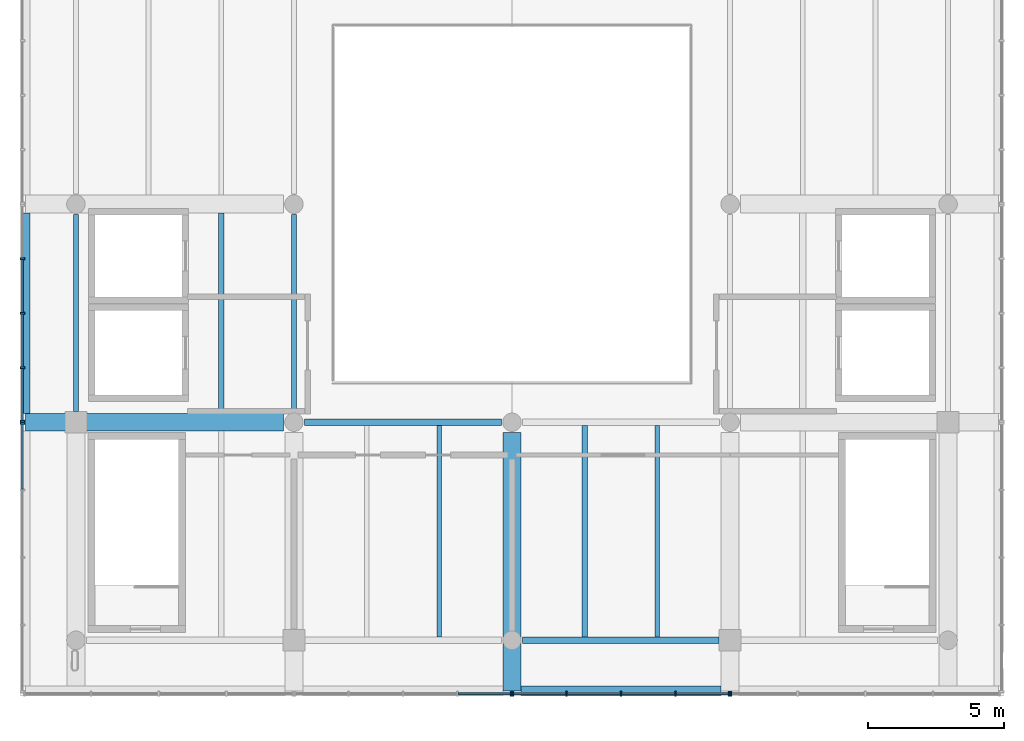
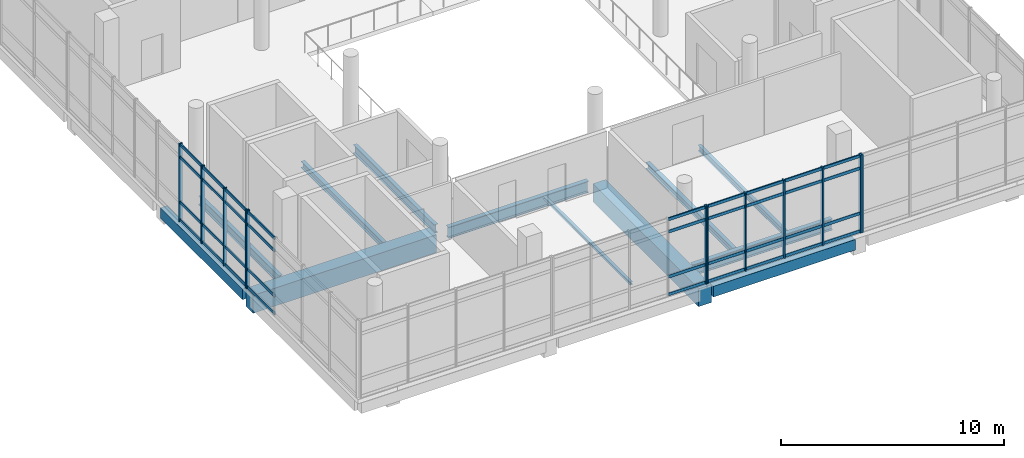
# One storey, part 3 of 15: 48 members, 12 beams, 5 elements without a shape of their own.
"""IFC4 building model written with IfcOpenShell, lengths in metres."""

import ifcopenshell
import ifcopenshell.guid

model = None  # the IFC model being written
_history = None  # IfcOwnerHistory: only IFC2X3 demands one
_inside = {}  # id of a spatial element -> (the spatial element, [elements in it])
_under = {}  # id of a project, library or spatial element -> (it, [spatial elements below it])
_declared = {}  # id of a project -> (the project, [libraries it declares])
_typed = {}  # id of a type object -> (the type object, [elements of that type])
_made_of = {}  # id of a material, layer set ... -> (it, [elements and type objects made of it])


def new_model(schema):
    """Start an empty IFC model of exactly this schema.

    Asked for "IFC4X3", IfcOpenShell would pick the latest addendum, in which some entities
    have other attributes; the version numbers below select the first issue.
    IFC2X3 requires an IfcOwnerHistory on every rooted entity: one is made here for all.
    """
    global model, _history
    if schema == "IFC4X3":
        model = ifcopenshell.file(schema_version=(4, 3, 0, 0))
    else:
        model = ifcopenshell.file(schema=schema)
    _inside.clear()
    _under.clear()
    _declared.clear()
    _typed.clear()
    _made_of.clear()
    _history = None
    if model.schema == "IFC2X3":
        org = make("IfcOrganization", Name="unknown")
        user = make(
            "IfcPersonAndOrganization",
            ThePerson=make("IfcPerson", FamilyName="unknown"),
            TheOrganization=org,
        )
        app = make(
            "IfcApplication",
            ApplicationDeveloper=org,
            Version="unknown",
            ApplicationFullName="unknown",
            ApplicationIdentifier="unknown",
        )
        _history = make(
            "IfcOwnerHistory",
            OwningUser=user,
            OwningApplication=app,
            ChangeAction="ADDED",
            CreationDate=0,
        )
    return model


def make(cls, **values):
    """One entity of the class cls with the attributes given. An attribute that is None is left unset."""
    return model.create_entity(
        cls, **{name: value for name, value in values.items() if value is not None}
    )


def rooted(cls, **values):
    """An entity with a GlobalId (a new one), such as an element, a storey or a relation."""
    return make(cls, GlobalId=ifcopenshell.guid.new(), OwnerHistory=_history, **values)


def si_unit(unit_type, name, prefix=None):
    """IfcSIUnit, for example si_unit("LENGTHUNIT", "METRE", prefix="MILLI")."""
    return make("IfcSIUnit", UnitType=unit_type, Prefix=prefix, Name=name)


def assignment(units):
    """IfcUnitAssignment: the units of a project."""
    return None if units is None else make("IfcUnitAssignment", Units=units)


def point(xyz):
    """IfcCartesianPoint."""
    return None if xyz is None else make("IfcCartesianPoint", Coordinates=xyz)


def direction(xyz):
    """IfcDirection."""
    return None if xyz is None else make("IfcDirection", DirectionRatios=xyz)


def frame(location, z_axis=None, x_axis=None):
    """IfcAxis2Placement3D, a coordinate frame: its origin and axes. An axis left out is left unset."""
    return make(
        "IfcAxis2Placement3D",
        Location=point(location),
        Axis=direction(z_axis),
        RefDirection=direction(x_axis),
    )


def frame_2d(location, x_axis=None):
    """IfcAxis2Placement2D, a coordinate frame in the plane: its origin and x axis."""
    return make(
        "IfcAxis2Placement2D", Location=point(location), RefDirection=direction(x_axis)
    )


def origin():
    """The frame at (0, 0, 0) with its axes left unset."""
    return frame((0.0, 0.0, 0.0))


def origin_2d():
    """The frame at (0, 0) in the plane with its x axis left unset."""
    return frame_2d((0.0, 0.0))


def place(relative_to, where):
    """IfcLocalPlacement: puts the frame where relative to a parent placement (None: the world)."""
    return make(
        "IfcLocalPlacement", PlacementRelTo=relative_to, RelativePlacement=where
    )


def context(
    kind, dimensions, precision=None, world=None, true_north=None, identifier=None
):
    """IfcGeometricRepresentationContext, for example the 3D "Model" context."""
    return make(
        "IfcGeometricRepresentationContext",
        ContextIdentifier=identifier,
        ContextType=kind,
        CoordinateSpaceDimension=dimensions,
        Precision=precision,
        WorldCoordinateSystem=world,
        TrueNorth=true_north,
    )


def subcontext(parent, identifier, kind, view, scale=None):
    """IfcGeometricRepresentationSubContext, for example "Body" below "Model"."""
    return make(
        "IfcGeometricRepresentationSubContext",
        ContextIdentifier=identifier,
        ContextType=kind,
        ParentContext=parent,
        TargetScale=scale,
        TargetView=view,
    )


def project(units=None, contexts=None):
    """IfcProject with its units and contexts."""
    return rooted(
        "IfcProject",
        Name="project",
        RepresentationContexts=contexts,
        UnitsInContext=assignment(units),
    )


def spatial(cls, under=None, at=None, **own):
    """A site, building, storey or space (cls), placed at a placement, below another one or the project."""
    s = rooted(cls, ObjectPlacement=at, **own)
    if under is not None:
        _under.setdefault(under.id(), (under, []))[1].append(s)
    return s


def profile(cls, at=None, kind="AREA", **sizes):
    """A parametric profile (cls). Its sizes go by their IFC names, for example OverallWidth=200.0."""
    return make(cls, ProfileType=kind, Position=at, **sizes)


def rectangle(**sizes):
    """IfcRectangleProfileDef."""
    return profile("IfcRectangleProfileDef", **sizes)


def i_section(**sizes):
    """IfcIShapeProfileDef."""
    return profile("IfcIShapeProfileDef", **sizes)


def extrude(swept, where, along, depth):
    """IfcExtrudedAreaSolid: the profile swept, set in the frame where, extruded along a direction by depth."""
    return make(
        "IfcExtrudedAreaSolid",
        SweptArea=swept,
        Position=where,
        ExtrudedDirection=direction(along),
        Depth=depth,
    )


def shape(context_of_items, identifier, shape_type, items):
    """IfcShapeRepresentation: the items that make up one representation, for example the "Body"."""
    return make(
        "IfcShapeRepresentation",
        ContextOfItems=context_of_items,
        RepresentationIdentifier=identifier,
        RepresentationType=shape_type,
        Items=items,
    )


def material(Name=None, Category=None):
    """IfcMaterial."""
    return make("IfcMaterial", Name=Name, Category=Category)


def material_profile(
    of_material, cross_section, Name=None, Category=None, Priority=None
):
    """IfcMaterialProfile: a cross section and its material."""
    return make(
        "IfcMaterialProfile",
        Name=Name,
        Material=of_material,
        Profile=cross_section,
        Priority=Priority,
        Category=Category,
    )


def profile_set(profiles, Name=None, composite=None):
    """IfcMaterialProfileSet."""
    return make(
        "IfcMaterialProfileSet",
        Name=Name,
        MaterialProfiles=profiles,
        CompositeProfile=composite,
    )


def made_of(thing, what):
    """Note that an element or type object is made of a material, layer set ...; save() writes the relation."""
    if what is not None:
        _made_of.setdefault(what.id(), (what, []))[1].append(thing)
    return thing


def type_object(cls, material=None, **own):
    """A type object (cls), such as IfcWallType, which elements share."""
    return made_of(rooted(cls, **own), material)


def element(
    cls,
    number,
    at=None,
    inside=None,
    cuts=None,
    type_object=None,
    material=None,
    context=None,
    identifier="Body",
    shape_type=None,
    held_by="IfcProductDefinitionShape",
    body=None,
    shapes=None,
    **own,
):
    """One element of the class cls, such as IfcWall. Its Tag is "e" and its number.

    at: its placement. inside: the storey or other place that contains it. cuts: it is an
    opening in that element (IfcRelVoidsElement). A single representation is given by context,
    identifier, shape_type and body (its items); several are given by shapes. held_by: the class
    of the entity that holds the representations. save() writes the other relations.
    """
    e = rooted(cls, Tag="e%d" % number, ObjectPlacement=at, **own)
    if body is not None:
        shapes = [shape(context, identifier, shape_type, body)]
    if shapes is not None:
        e.Representation = make(held_by, Representations=shapes)
    if inside is not None:
        _inside.setdefault(inside.id(), (inside, []))[1].append(e)
    if cuts is not None:
        rooted(
            "IfcRelVoidsElement", RelatingBuildingElement=cuts, RelatedOpeningElement=e
        )
    if type_object is not None:
        _typed.setdefault(type_object.id(), (type_object, []))[1].append(e)
    return made_of(e, material)


def aggregate(whole, parts):
    """IfcRelAggregates: a whole, such as a stair, and the parts it consists of."""
    return rooted("IfcRelAggregates", RelatingObject=whole, RelatedObjects=parts)


def save(model, path):
    """Write the relations noted so far, then the file.

    IfcRelAggregates (storeys below a building ...), IfcRelContainedInSpatialStructure (elements
    in a storey), IfcRelDefinesByType, IfcRelAssociatesMaterial and IfcRelDeclares: one each for
    every whole, place, type object, material and project.
    """
    for whole, parts in _under.values():
        aggregate(whole, parts)
    for where, things in _inside.values():
        rooted(
            "IfcRelContainedInSpatialStructure",
            RelatedElements=things,
            RelatingStructure=where,
        )
    for kind, things in _typed.values():
        rooted("IfcRelDefinesByType", RelatedObjects=things, RelatingType=kind)
    for what, things in _made_of.values():
        rooted("IfcRelAssociatesMaterial", RelatedObjects=things, RelatingMaterial=what)
    for by, libraries in _declared.values():
        rooted("IfcRelDeclares", RelatingContext=by, RelatedDefinitions=libraries)
    model.write(path)


model = new_model("IFC4")

# Units and contexts
model_context = context("Model", 3, precision=1e-05, world=origin(), true_north=direction((0.0, 1.0)))
body_context = subcontext(model_context, "Body", "Model", "MODEL_VIEW")
ifc_project = project(units=[si_unit("LENGTHUNIT", "METRE"), si_unit("AREAUNIT", "SQUARE_METRE"), si_unit("VOLUMEUNIT", "CUBIC_METRE"), si_unit("PLANEANGLEUNIT", "RADIAN"), si_unit("MASSUNIT", "GRAM", prefix="KILO")], contexts=[model_context])

# Site, building, storey
site_placement = place(None, origin())
site = spatial("IfcSite", under=ifc_project, at=site_placement, CompositionType="ELEMENT")
building_placement = place(site_placement, origin())
building = spatial("IfcBuilding", under=site, at=building_placement, Name="Pecanmere Concourse Central Library", CompositionType="ELEMENT")
storey_placement = place(building_placement, frame((0.0, 0.0, 30.300048828125)))
storey = spatial("IfcBuildingStorey", under=building, at=storey_placement, Name="L07", CompositionType="ELEMENT", Elevation=30.300048828125)

# Curtain wall, member
ifc_material_1 = material(Name="Anodized bronze aluminium alloy 6063-T6", Category="aluminium")
curtain_wall_type = type_object("IfcCurtainWallType", Name="CW_PLUMB_BANDED", PredefinedType="USERDEFINED", material=ifc_material_1)
curtain_wall_1_placement = place(storey_placement, origin())
curtain_wall_1 = element("IfcCurtainWall", 1, at=curtain_wall_1_placement, inside=storey, type_object=curtain_wall_type, Name="Unitised Curtain Wall CW-02 L07-090", ObjectType="UNITISED CURTAIN WALL", PredefinedType="USERDEFINED")
ifc_material_2 = material(Name="Anodized bronze aluminium alloy 6063-T6", Category="aluminium")
ifc_material_profile_1 = material_profile(ifc_material_2, rectangle(XDim=0.06494140625, YDim=0.179931640625, at=origin_2d()), Name="AL 65x180")
ifc_profile_set_1 = profile_set([ifc_material_profile_1], Name="Anodized bronze aluminium alloy 6063-T6")
member_type_1 = type_object("IfcMemberType", Name="CWM_180x65", PredefinedType="MULLION", material=ifc_profile_set_1)
member_1_placement = place(storey_placement, frame((87.96240234375, 88.03857421875, 0.0), z_axis=(0.0, 0.0, 1.0), x_axis=(1.0, 0.0, 0.0)))
member_1 = element("IfcMember", 2, at=member_1_placement, type_object=member_type_1, Name="CW-02 Mullion 5", PredefinedType="MULLION", context=body_context, shape_type="SweptSolid", body=[
    extrude(rectangle(XDim=0.06494140625, YDim=0.179931640625, at=origin_2d()), origin(), (0.0, 0.0, 1.0), 4.260009765625),
])

# Curtain wall, members
curtain_wall_2_placement = place(storey_placement, origin())
curtain_wall_2 = element("IfcCurtainWall", 3, at=curtain_wall_2_placement, inside=storey, type_object=curtain_wall_type, Name="Unitised Curtain Wall CW-02 L07-091", ObjectType="UNITISED CURTAIN WALL", PredefinedType="USERDEFINED")
member_2_placement = place(storey_placement, frame((88.03759765625, 88.03857421875, 0.0), z_axis=(0.0, 0.0, 1.0), x_axis=(1.0, 0.0, 0.0)))
member_2 = element("IfcMember", 4, at=member_2_placement, type_object=member_type_1, Name="CW-02 Mullion 1", PredefinedType="MULLION", context=body_context, shape_type="SweptSolid", body=[
    extrude(rectangle(XDim=0.06494140625, YDim=0.179931640625, at=origin_2d()), origin(), (0.0, 0.0, 1.0), 4.260009765625),
])
member_3_placement = place(storey_placement, frame((90.00244140625, 88.03857421875, 0.0), z_axis=(0.0, 0.0, 1.0), x_axis=(1.0, 0.0, 0.0)))
member_3 = element("IfcMember", 5, at=member_3_placement, type_object=member_type_1, Name="CW-02 Mullion 2", PredefinedType="MULLION", context=body_context, shape_type="SweptSolid", body=[
    extrude(rectangle(XDim=0.06494140625, YDim=0.179931640625, at=origin_2d()), origin(), (0.0, 0.0, 1.0), 4.260009765625),
])
member_4_placement = place(storey_placement, frame((92.0, 88.03857421875, 0.0), z_axis=(0.0, 0.0, 1.0), x_axis=(1.0, 0.0, 0.0)))
member_4 = element("IfcMember", 6, at=member_4_placement, type_object=member_type_1, Name="CW-02 Mullion 3", PredefinedType="MULLION", context=body_context, shape_type="SweptSolid", body=[
    extrude(rectangle(XDim=0.06494140625, YDim=0.179931640625, at=origin_2d()), origin(), (0.0, 0.0, 1.0), 4.260009765625),
])
member_5_placement = place(storey_placement, frame((93.99755859375, 88.03857421875, 0.0), z_axis=(0.0, 0.0, 1.0), x_axis=(1.0, 0.0, 0.0)))
member_5 = element("IfcMember", 7, at=member_5_placement, type_object=member_type_1, Name="CW-02 Mullion 4", PredefinedType="MULLION", context=body_context, shape_type="SweptSolid", body=[
    extrude(rectangle(XDim=0.06494140625, YDim=0.179931640625, at=origin_2d()), origin(), (0.0, 0.0, 1.0), 4.260009765625),
])
member_6_placement = place(storey_placement, frame((95.96240234375, 88.03857421875, 0.0), z_axis=(0.0, 0.0, 1.0), x_axis=(1.0, 0.0, 0.0)))
member_6 = element("IfcMember", 8, at=member_6_placement, type_object=member_type_1, Name="CW-02 Mullion 5", PredefinedType="MULLION", context=body_context, shape_type="SweptSolid", body=[
    extrude(rectangle(XDim=0.06494140625, YDim=0.179931640625, at=origin_2d()), origin(), (0.0, 0.0, 1.0), 4.260009765625),
])

# Curtain wall, member
curtain_wall_3_placement = place(storey_placement, origin())
curtain_wall_3 = element("IfcCurtainWall", 9, at=curtain_wall_3_placement, inside=storey, type_object=curtain_wall_type, Name="Unitised Curtain Wall CW-02 L07-092", ObjectType="UNITISED CURTAIN WALL", PredefinedType="USERDEFINED")
member_7_placement = place(storey_placement, frame((96.03759765625, 88.03857421875, 0.0), z_axis=(0.0, 0.0, 1.0), x_axis=(1.0, 0.0, 0.0)))
member_7 = element("IfcMember", 10, at=member_7_placement, type_object=member_type_1, Name="CW-02 Mullion 1", PredefinedType="MULLION", context=body_context, shape_type="SweptSolid", body=[
    extrude(rectangle(XDim=0.06494140625, YDim=0.179931640625, at=origin_2d()), origin(), (0.0, 0.0, 1.0), 4.260009765625),
])
aggregate(curtain_wall_3, [member_7])

# Curtain wall, members
curtain_wall_4_placement = place(storey_placement, origin())
curtain_wall_4 = element("IfcCurtainWall", 11, at=curtain_wall_4_placement, inside=storey, type_object=curtain_wall_type, Name="Unitised Curtain Wall CW-02 L07-099", ObjectType="UNITISED CURTAIN WALL", PredefinedType="USERDEFINED")
member_8_placement = place(storey_placement, frame((70.03857421875, 103.99755859375, 0.0), z_axis=(0.0, 0.0, 1.0), x_axis=(0.0, -1.0, 0.0)))
member_8 = element("IfcMember", 12, at=member_8_placement, type_object=member_type_1, Name="CW-02 Mullion 2", PredefinedType="MULLION", context=body_context, shape_type="SweptSolid", body=[
    extrude(rectangle(XDim=0.06494140625, YDim=0.179931640625, at=origin_2d()), origin(), (0.0, 0.0, 1.0), 4.260009765625),
])
member_9_placement = place(storey_placement, frame((70.03857421875, 102.0, 0.0), z_axis=(0.0, 0.0, 1.0), x_axis=(0.0, -1.0, 0.0)))
member_9 = element("IfcMember", 13, at=member_9_placement, type_object=member_type_1, Name="CW-02 Mullion 3", PredefinedType="MULLION", context=body_context, shape_type="SweptSolid", body=[
    extrude(rectangle(XDim=0.06494140625, YDim=0.179931640625, at=origin_2d()), origin(), (0.0, 0.0, 1.0), 4.260009765625),
])
member_10_placement = place(storey_placement, frame((70.03857421875, 100.00244140625, 0.0), z_axis=(0.0, 0.0, 1.0), x_axis=(0.0, -1.0, 0.0)))
member_10 = element("IfcMember", 14, at=member_10_placement, type_object=member_type_1, Name="CW-02 Mullion 4", PredefinedType="MULLION", context=body_context, shape_type="SweptSolid", body=[
    extrude(rectangle(XDim=0.06494140625, YDim=0.179931640625, at=origin_2d()), origin(), (0.0, 0.0, 1.0), 4.260009765625),
])
member_11_placement = place(storey_placement, frame((70.03857421875, 98.03759765625, 0.0), z_axis=(0.0, 0.0, 1.0), x_axis=(0.0, -1.0, 0.0)))
member_11 = element("IfcMember", 15, at=member_11_placement, type_object=member_type_1, Name="CW-02 Mullion 5", PredefinedType="MULLION", context=body_context, shape_type="SweptSolid", body=[
    extrude(rectangle(XDim=0.06494140625, YDim=0.179931640625, at=origin_2d()), origin(), (0.0, 0.0, 1.0), 4.260009765625),
])

# Curtain wall, member
curtain_wall_5_placement = place(storey_placement, origin())
curtain_wall_5 = element("IfcCurtainWall", 16, at=curtain_wall_5_placement, inside=storey, type_object=curtain_wall_type, Name="Unitised Curtain Wall CW-02 L07-100", ObjectType="UNITISED CURTAIN WALL", PredefinedType="USERDEFINED")
member_12_placement = place(storey_placement, frame((70.03857421875, 97.96240234375, 0.0), z_axis=(0.0, 0.0, 1.0), x_axis=(0.0, -1.0, 0.0)))
member_12 = element("IfcMember", 17, at=member_12_placement, type_object=member_type_1, Name="CW-02 Mullion 1", PredefinedType="MULLION", context=body_context, shape_type="SweptSolid", body=[
    extrude(rectangle(XDim=0.06494140625, YDim=0.179931640625, at=origin_2d()), origin(), (0.0, 0.0, 1.0), 4.260009765625),
])

# Member
ifc_material_3 = material(Name="Anodized bronze aluminium alloy 6063-T6", Category="aluminium")
ifc_material_profile_2 = material_profile(ifc_material_3, rectangle(XDim=0.06005859375, YDim=0.159912109375, at=origin_2d()), Name="AL 60x160")
ifc_profile_set_2 = profile_set([ifc_material_profile_2], Name="Anodized bronze aluminium alloy 6063-T6")
member_type_2 = type_object("IfcMemberType", Name="CWT_160x60", PredefinedType="USERDEFINED", material=ifc_profile_set_2)
member_13_placement = place(storey_placement, frame((86.030029296875, 88.03857421875, 0.079833984375), z_axis=(1.0, 0.0, 0.0), x_axis=(0.0, 1.0, 0.0)))
member_13 = element("IfcMember", 18, at=member_13_placement, type_object=member_type_2, Name="CW-02 Transom 4.1", ObjectType="TRANSOM", PredefinedType="USERDEFINED", context=body_context, shape_type="SweptSolid", body=[
    extrude(rectangle(XDim=0.06005859375, YDim=0.159912109375, at=origin_2d()), origin(), (0.0, 0.0, 1.0), 1.89990234375),
])

member_14_placement = place(storey_placement, frame((86.030029296875, 88.03857421875, 1.050048828125), z_axis=(1.0, 0.0, 0.0), x_axis=(0.0, 1.0, 0.0)))
member_14 = element("IfcMember", 19, at=member_14_placement, type_object=member_type_2, Name="CW-02 Transom 4.2", ObjectType="TRANSOM", PredefinedType="USERDEFINED", context=body_context, shape_type="SweptSolid", body=[
    extrude(rectangle(XDim=0.06005859375, YDim=0.159912109375, at=origin_2d()), origin(), (0.0, 0.0, 1.0), 1.89990234375),
])

member_15_placement = place(storey_placement, frame((86.030029296875, 88.03857421875, 3.510009765625), z_axis=(1.0, 0.0, 0.0), x_axis=(0.0, 1.0, 0.0)))
member_15 = element("IfcMember", 20, at=member_15_placement, type_object=member_type_2, Name="CW-02 Transom 4.3", ObjectType="TRANSOM", PredefinedType="USERDEFINED", context=body_context, shape_type="SweptSolid", body=[
    extrude(rectangle(XDim=0.06005859375, YDim=0.159912109375, at=origin_2d()), origin(), (0.0, 0.0, 1.0), 1.89990234375),
])

member_16_placement = place(storey_placement, frame((86.030029296875, 88.03857421875, 4.179931640625), z_axis=(1.0, 0.0, 0.0), x_axis=(0.0, 1.0, 0.0)))
member_16 = element("IfcMember", 21, at=member_16_placement, type_object=member_type_2, Name="CW-02 Transom 4.4", ObjectType="TRANSOM", PredefinedType="USERDEFINED", context=body_context, shape_type="SweptSolid", body=[
    extrude(rectangle(XDim=0.06005859375, YDim=0.159912109375, at=origin_2d()), origin(), (0.0, 0.0, 1.0), 1.89990234375),
])

aggregate(curtain_wall_1, [member_1, member_13, member_14, member_15, member_16])

member_17_placement = place(storey_placement, frame((88.070068359375, 88.03857421875, 0.079833984375), z_axis=(1.0, 0.0, 0.0), x_axis=(0.0, 1.0, 0.0)))
member_17 = element("IfcMember", 22, at=member_17_placement, type_object=member_type_2, Name="CW-02 Transom 1.1", ObjectType="TRANSOM", PredefinedType="USERDEFINED", context=body_context, shape_type="SweptSolid", body=[
    extrude(rectangle(XDim=0.06005859375, YDim=0.159912109375, at=origin_2d()), origin(), (0.0, 0.0, 1.0), 1.89990234375),
])

member_18_placement = place(storey_placement, frame((88.070068359375, 88.03857421875, 1.050048828125), z_axis=(1.0, 0.0, 0.0), x_axis=(0.0, 1.0, 0.0)))
member_18 = element("IfcMember", 23, at=member_18_placement, type_object=member_type_2, Name="CW-02 Transom 1.2", ObjectType="TRANSOM", PredefinedType="USERDEFINED", context=body_context, shape_type="SweptSolid", body=[
    extrude(rectangle(XDim=0.06005859375, YDim=0.159912109375, at=origin_2d()), origin(), (0.0, 0.0, 1.0), 1.89990234375),
])

member_19_placement = place(storey_placement, frame((88.070068359375, 88.03857421875, 3.510009765625), z_axis=(1.0, 0.0, 0.0), x_axis=(0.0, 1.0, 0.0)))
member_19 = element("IfcMember", 24, at=member_19_placement, type_object=member_type_2, Name="CW-02 Transom 1.3", ObjectType="TRANSOM", PredefinedType="USERDEFINED", context=body_context, shape_type="SweptSolid", body=[
    extrude(rectangle(XDim=0.06005859375, YDim=0.159912109375, at=origin_2d()), origin(), (0.0, 0.0, 1.0), 1.89990234375),
])

member_20_placement = place(storey_placement, frame((88.070068359375, 88.03857421875, 4.179931640625), z_axis=(1.0, 0.0, 0.0), x_axis=(0.0, 1.0, 0.0)))
member_20 = element("IfcMember", 25, at=member_20_placement, type_object=member_type_2, Name="CW-02 Transom 1.4", ObjectType="TRANSOM", PredefinedType="USERDEFINED", context=body_context, shape_type="SweptSolid", body=[
    extrude(rectangle(XDim=0.06005859375, YDim=0.159912109375, at=origin_2d()), origin(), (0.0, 0.0, 1.0), 1.89990234375),
])

member_21_placement = place(storey_placement, frame((90.034912109375, 88.03857421875, 0.079833984375), z_axis=(1.0, 0.0, 0.0), x_axis=(0.0, 1.0, 0.0)))
member_21 = element("IfcMember", 26, at=member_21_placement, type_object=member_type_2, Name="CW-02 Transom 2.1", ObjectType="TRANSOM", PredefinedType="USERDEFINED", context=body_context, shape_type="SweptSolid", body=[
    extrude(rectangle(XDim=0.06005859375, YDim=0.159912109375, at=origin_2d()), origin(), (0.0, 0.0, 1.0), 1.9326171875),
])

member_22_placement = place(storey_placement, frame((90.034912109375, 88.03857421875, 1.050048828125), z_axis=(1.0, 0.0, 0.0), x_axis=(0.0, 1.0, 0.0)))
member_22 = element("IfcMember", 27, at=member_22_placement, type_object=member_type_2, Name="CW-02 Transom 2.2", ObjectType="TRANSOM", PredefinedType="USERDEFINED", context=body_context, shape_type="SweptSolid", body=[
    extrude(rectangle(XDim=0.06005859375, YDim=0.159912109375, at=origin_2d()), origin(), (0.0, 0.0, 1.0), 1.9326171875),
])

member_23_placement = place(storey_placement, frame((90.034912109375, 88.03857421875, 3.510009765625), z_axis=(1.0, 0.0, 0.0), x_axis=(0.0, 1.0, 0.0)))
member_23 = element("IfcMember", 28, at=member_23_placement, type_object=member_type_2, Name="CW-02 Transom 2.3", ObjectType="TRANSOM", PredefinedType="USERDEFINED", context=body_context, shape_type="SweptSolid", body=[
    extrude(rectangle(XDim=0.06005859375, YDim=0.159912109375, at=origin_2d()), origin(), (0.0, 0.0, 1.0), 1.9326171875),
])

member_24_placement = place(storey_placement, frame((90.034912109375, 88.03857421875, 4.179931640625), z_axis=(1.0, 0.0, 0.0), x_axis=(0.0, 1.0, 0.0)))
member_24 = element("IfcMember", 29, at=member_24_placement, type_object=member_type_2, Name="CW-02 Transom 2.4", ObjectType="TRANSOM", PredefinedType="USERDEFINED", context=body_context, shape_type="SweptSolid", body=[
    extrude(rectangle(XDim=0.06005859375, YDim=0.159912109375, at=origin_2d()), origin(), (0.0, 0.0, 1.0), 1.9326171875),
])

member_25_placement = place(storey_placement, frame((92.032470703125, 88.03857421875, 0.079833984375), z_axis=(1.0, 0.0, 0.0), x_axis=(0.0, 1.0, 0.0)))
member_25 = element("IfcMember", 30, at=member_25_placement, type_object=member_type_2, Name="CW-02 Transom 3.1", ObjectType="TRANSOM", PredefinedType="USERDEFINED", context=body_context, shape_type="SweptSolid", body=[
    extrude(rectangle(XDim=0.06005859375, YDim=0.159912109375, at=origin_2d()), origin(), (0.0, 0.0, 1.0), 1.9326171875),
])

member_26_placement = place(storey_placement, frame((92.032470703125, 88.03857421875, 1.050048828125), z_axis=(1.0, 0.0, 0.0), x_axis=(0.0, 1.0, 0.0)))
member_26 = element("IfcMember", 31, at=member_26_placement, type_object=member_type_2, Name="CW-02 Transom 3.2", ObjectType="TRANSOM", PredefinedType="USERDEFINED", context=body_context, shape_type="SweptSolid", body=[
    extrude(rectangle(XDim=0.06005859375, YDim=0.159912109375, at=origin_2d()), origin(), (0.0, 0.0, 1.0), 1.9326171875),
])

member_27_placement = place(storey_placement, frame((92.032470703125, 88.03857421875, 3.510009765625), z_axis=(1.0, 0.0, 0.0), x_axis=(0.0, 1.0, 0.0)))
member_27 = element("IfcMember", 32, at=member_27_placement, type_object=member_type_2, Name="CW-02 Transom 3.3", ObjectType="TRANSOM", PredefinedType="USERDEFINED", context=body_context, shape_type="SweptSolid", body=[
    extrude(rectangle(XDim=0.06005859375, YDim=0.159912109375, at=origin_2d()), origin(), (0.0, 0.0, 1.0), 1.9326171875),
])

member_28_placement = place(storey_placement, frame((92.032470703125, 88.03857421875, 4.179931640625), z_axis=(1.0, 0.0, 0.0), x_axis=(0.0, 1.0, 0.0)))
member_28 = element("IfcMember", 33, at=member_28_placement, type_object=member_type_2, Name="CW-02 Transom 3.4", ObjectType="TRANSOM", PredefinedType="USERDEFINED", context=body_context, shape_type="SweptSolid", body=[
    extrude(rectangle(XDim=0.06005859375, YDim=0.159912109375, at=origin_2d()), origin(), (0.0, 0.0, 1.0), 1.9326171875),
])

member_29_placement = place(storey_placement, frame((94.030029296875, 88.03857421875, 0.079833984375), z_axis=(1.0, 0.0, 0.0), x_axis=(0.0, 1.0, 0.0)))
member_29 = element("IfcMember", 34, at=member_29_placement, type_object=member_type_2, Name="CW-02 Transom 4.1", ObjectType="TRANSOM", PredefinedType="USERDEFINED", context=body_context, shape_type="SweptSolid", body=[
    extrude(rectangle(XDim=0.06005859375, YDim=0.159912109375, at=origin_2d()), origin(), (0.0, 0.0, 1.0), 1.89990234375),
])

member_30_placement = place(storey_placement, frame((94.030029296875, 88.03857421875, 1.050048828125), z_axis=(1.0, 0.0, 0.0), x_axis=(0.0, 1.0, 0.0)))
member_30 = element("IfcMember", 35, at=member_30_placement, type_object=member_type_2, Name="CW-02 Transom 4.2", ObjectType="TRANSOM", PredefinedType="USERDEFINED", context=body_context, shape_type="SweptSolid", body=[
    extrude(rectangle(XDim=0.06005859375, YDim=0.159912109375, at=origin_2d()), origin(), (0.0, 0.0, 1.0), 1.89990234375),
])

member_31_placement = place(storey_placement, frame((94.030029296875, 88.03857421875, 3.510009765625), z_axis=(1.0, 0.0, 0.0), x_axis=(0.0, 1.0, 0.0)))
member_31 = element("IfcMember", 36, at=member_31_placement, type_object=member_type_2, Name="CW-02 Transom 4.3", ObjectType="TRANSOM", PredefinedType="USERDEFINED", context=body_context, shape_type="SweptSolid", body=[
    extrude(rectangle(XDim=0.06005859375, YDim=0.159912109375, at=origin_2d()), origin(), (0.0, 0.0, 1.0), 1.89990234375),
])

member_32_placement = place(storey_placement, frame((94.030029296875, 88.03857421875, 4.179931640625), z_axis=(1.0, 0.0, 0.0), x_axis=(0.0, 1.0, 0.0)))
member_32 = element("IfcMember", 37, at=member_32_placement, type_object=member_type_2, Name="CW-02 Transom 4.4", ObjectType="TRANSOM", PredefinedType="USERDEFINED", context=body_context, shape_type="SweptSolid", body=[
    extrude(rectangle(XDim=0.06005859375, YDim=0.159912109375, at=origin_2d()), origin(), (0.0, 0.0, 1.0), 1.89990234375),
])

aggregate(curtain_wall_2, [member_2, member_3, member_4, member_5, member_6, member_17, member_18, member_19, member_20, member_21, member_22, member_23, member_24, member_25, member_26, member_27, member_28, member_29, member_30, member_31, member_32])

member_33_placement = place(storey_placement, frame((70.03857421875, 103.965087890625, 0.079833984375), z_axis=(0.0, -1.0, 0.0), x_axis=(1.0, 0.0, 0.0)))
member_33 = element("IfcMember", 38, at=member_33_placement, type_object=member_type_2, Name="CW-02 Transom 2.1", ObjectType="TRANSOM", PredefinedType="USERDEFINED", context=body_context, shape_type="SweptSolid", body=[
    extrude(rectangle(XDim=0.06005859375, YDim=0.159912109375, at=origin_2d()), origin(), (0.0, 0.0, 1.0), 1.9326171875),
])

member_34_placement = place(storey_placement, frame((70.03857421875, 103.965087890625, 1.050048828125), z_axis=(0.0, -1.0, 0.0), x_axis=(1.0, 0.0, 0.0)))
member_34 = element("IfcMember", 39, at=member_34_placement, type_object=member_type_2, Name="CW-02 Transom 2.2", ObjectType="TRANSOM", PredefinedType="USERDEFINED", context=body_context, shape_type="SweptSolid", body=[
    extrude(rectangle(XDim=0.06005859375, YDim=0.159912109375, at=origin_2d()), origin(), (0.0, 0.0, 1.0), 1.9326171875),
])

member_35_placement = place(storey_placement, frame((70.03857421875, 103.965087890625, 3.510009765625), z_axis=(0.0, -1.0, 0.0), x_axis=(1.0, 0.0, 0.0)))
member_35 = element("IfcMember", 40, at=member_35_placement, type_object=member_type_2, Name="CW-02 Transom 2.3", ObjectType="TRANSOM", PredefinedType="USERDEFINED", context=body_context, shape_type="SweptSolid", body=[
    extrude(rectangle(XDim=0.06005859375, YDim=0.159912109375, at=origin_2d()), origin(), (0.0, 0.0, 1.0), 1.9326171875),
])

member_36_placement = place(storey_placement, frame((70.03857421875, 103.965087890625, 4.179931640625), z_axis=(0.0, -1.0, 0.0), x_axis=(1.0, 0.0, 0.0)))
member_36 = element("IfcMember", 41, at=member_36_placement, type_object=member_type_2, Name="CW-02 Transom 2.4", ObjectType="TRANSOM", PredefinedType="USERDEFINED", context=body_context, shape_type="SweptSolid", body=[
    extrude(rectangle(XDim=0.06005859375, YDim=0.159912109375, at=origin_2d()), origin(), (0.0, 0.0, 1.0), 1.9326171875),
])

member_37_placement = place(storey_placement, frame((70.03857421875, 101.967529296875, 0.079833984375), z_axis=(0.0, -1.0, 0.0), x_axis=(1.0, 0.0, 0.0)))
member_37 = element("IfcMember", 42, at=member_37_placement, type_object=member_type_2, Name="CW-02 Transom 3.1", ObjectType="TRANSOM", PredefinedType="USERDEFINED", context=body_context, shape_type="SweptSolid", body=[
    extrude(rectangle(XDim=0.06005859375, YDim=0.159912109375, at=origin_2d()), origin(), (0.0, 0.0, 1.0), 1.9326171875),
])

member_38_placement = place(storey_placement, frame((70.03857421875, 101.967529296875, 1.050048828125), z_axis=(0.0, -1.0, 0.0), x_axis=(1.0, 0.0, 0.0)))
member_38 = element("IfcMember", 43, at=member_38_placement, type_object=member_type_2, Name="CW-02 Transom 3.2", ObjectType="TRANSOM", PredefinedType="USERDEFINED", context=body_context, shape_type="SweptSolid", body=[
    extrude(rectangle(XDim=0.06005859375, YDim=0.159912109375, at=origin_2d()), origin(), (0.0, 0.0, 1.0), 1.9326171875),
])

member_39_placement = place(storey_placement, frame((70.03857421875, 101.967529296875, 3.510009765625), z_axis=(0.0, -1.0, 0.0), x_axis=(1.0, 0.0, 0.0)))
member_39 = element("IfcMember", 44, at=member_39_placement, type_object=member_type_2, Name="CW-02 Transom 3.3", ObjectType="TRANSOM", PredefinedType="USERDEFINED", context=body_context, shape_type="SweptSolid", body=[
    extrude(rectangle(XDim=0.06005859375, YDim=0.159912109375, at=origin_2d()), origin(), (0.0, 0.0, 1.0), 1.9326171875),
])

member_40_placement = place(storey_placement, frame((70.03857421875, 101.967529296875, 4.179931640625), z_axis=(0.0, -1.0, 0.0), x_axis=(1.0, 0.0, 0.0)))
member_40 = element("IfcMember", 45, at=member_40_placement, type_object=member_type_2, Name="CW-02 Transom 3.4", ObjectType="TRANSOM", PredefinedType="USERDEFINED", context=body_context, shape_type="SweptSolid", body=[
    extrude(rectangle(XDim=0.06005859375, YDim=0.159912109375, at=origin_2d()), origin(), (0.0, 0.0, 1.0), 1.9326171875),
])

member_41_placement = place(storey_placement, frame((70.03857421875, 99.969970703125, 0.079833984375), z_axis=(0.0, -1.0, 0.0), x_axis=(1.0, 0.0, 0.0)))
member_41 = element("IfcMember", 46, at=member_41_placement, type_object=member_type_2, Name="CW-02 Transom 4.1", ObjectType="TRANSOM", PredefinedType="USERDEFINED", context=body_context, shape_type="SweptSolid", body=[
    extrude(rectangle(XDim=0.06005859375, YDim=0.159912109375, at=origin_2d()), origin(), (0.0, 0.0, 1.0), 1.89990234375),
])

member_42_placement = place(storey_placement, frame((70.03857421875, 99.969970703125, 1.050048828125), z_axis=(0.0, -1.0, 0.0), x_axis=(1.0, 0.0, 0.0)))
member_42 = element("IfcMember", 47, at=member_42_placement, type_object=member_type_2, Name="CW-02 Transom 4.2", ObjectType="TRANSOM", PredefinedType="USERDEFINED", context=body_context, shape_type="SweptSolid", body=[
    extrude(rectangle(XDim=0.06005859375, YDim=0.159912109375, at=origin_2d()), origin(), (0.0, 0.0, 1.0), 1.89990234375),
])

member_43_placement = place(storey_placement, frame((70.03857421875, 99.969970703125, 3.510009765625), z_axis=(0.0, -1.0, 0.0), x_axis=(1.0, 0.0, 0.0)))
member_43 = element("IfcMember", 48, at=member_43_placement, type_object=member_type_2, Name="CW-02 Transom 4.3", ObjectType="TRANSOM", PredefinedType="USERDEFINED", context=body_context, shape_type="SweptSolid", body=[
    extrude(rectangle(XDim=0.06005859375, YDim=0.159912109375, at=origin_2d()), origin(), (0.0, 0.0, 1.0), 1.89990234375),
])

member_44_placement = place(storey_placement, frame((70.03857421875, 99.969970703125, 4.179931640625), z_axis=(0.0, -1.0, 0.0), x_axis=(1.0, 0.0, 0.0)))
member_44 = element("IfcMember", 49, at=member_44_placement, type_object=member_type_2, Name="CW-02 Transom 4.4", ObjectType="TRANSOM", PredefinedType="USERDEFINED", context=body_context, shape_type="SweptSolid", body=[
    extrude(rectangle(XDim=0.06005859375, YDim=0.159912109375, at=origin_2d()), origin(), (0.0, 0.0, 1.0), 1.89990234375),
])

aggregate(curtain_wall_4, [member_8, member_9, member_10, member_11, member_33, member_34, member_35, member_36, member_37, member_38, member_39, member_40, member_41, member_42, member_43, member_44])

member_45_placement = place(storey_placement, frame((70.03857421875, 97.929931640625, 0.079833984375), z_axis=(0.0, -1.0, 0.0), x_axis=(1.0, 0.0, 0.0)))
member_45 = element("IfcMember", 50, at=member_45_placement, type_object=member_type_2, Name="CW-02 Transom 1.1", ObjectType="TRANSOM", PredefinedType="USERDEFINED", context=body_context, shape_type="SweptSolid", body=[
    extrude(rectangle(XDim=0.06005859375, YDim=0.159912109375, at=origin_2d()), origin(), (0.0, 0.0, 1.0), 2.381591796875),
])

member_46_placement = place(storey_placement, frame((70.03857421875, 97.929931640625, 1.050048828125), z_axis=(0.0, -1.0, 0.0), x_axis=(1.0, 0.0, 0.0)))
member_46 = element("IfcMember", 51, at=member_46_placement, type_object=member_type_2, Name="CW-02 Transom 1.2", ObjectType="TRANSOM", PredefinedType="USERDEFINED", context=body_context, shape_type="SweptSolid", body=[
    extrude(rectangle(XDim=0.06005859375, YDim=0.159912109375, at=origin_2d()), origin(), (0.0, 0.0, 1.0), 2.381591796875),
])

member_47_placement = place(storey_placement, frame((70.03857421875, 97.929931640625, 3.510009765625), z_axis=(0.0, -1.0, 0.0), x_axis=(1.0, 0.0, 0.0)))
member_47 = element("IfcMember", 52, at=member_47_placement, type_object=member_type_2, Name="CW-02 Transom 1.3", ObjectType="TRANSOM", PredefinedType="USERDEFINED", context=body_context, shape_type="SweptSolid", body=[
    extrude(rectangle(XDim=0.06005859375, YDim=0.159912109375, at=origin_2d()), origin(), (0.0, 0.0, 1.0), 2.381591796875),
])

member_48_placement = place(storey_placement, frame((70.03857421875, 97.929931640625, 4.179931640625), z_axis=(0.0, -1.0, 0.0), x_axis=(1.0, 0.0, 0.0)))
member_48 = element("IfcMember", 53, at=member_48_placement, type_object=member_type_2, Name="CW-02 Transom 1.4", ObjectType="TRANSOM", PredefinedType="USERDEFINED", context=body_context, shape_type="SweptSolid", body=[
    extrude(rectangle(XDim=0.06005859375, YDim=0.159912109375, at=origin_2d()), origin(), (0.0, 0.0, 1.0), 2.381591796875),
])

aggregate(curtain_wall_5, [member_12, member_45, member_46, member_47, member_48])

# Beams
ifc_material_4 = material(Name="Concrete C40/50", Category="concrete")
ifc_material_profile_3 = material_profile(ifc_material_4, rectangle(XDim=0.659912109375, YDim=0.97998046875, at=origin_2d()), Name="RC 660x980")
ifc_profile_set_3 = profile_set([ifc_material_profile_3], Name="Concrete C40/50")
beam_type_1 = type_object("IfcBeamType", Name="GRD_660x980", PredefinedType="USERDEFINED", material=ifc_profile_set_3)
for number, where, z_axis, x_axis, name in (
    (54, (70.1484375, 98.0, -0.75), (1.0, 0.0, 0.0), (0.0, 1.0, 0.0), "Primary Girder X L07-2790"),
    (55, (88.0, 88.1484375, -0.75), (0.0, 1.0, 0.0), (-1.0, 0.0, 0.0), "Primary Girder Y L07-2812"),
):
    element("IfcBeam", number, at=place(storey_placement, frame(where, z_axis=z_axis, x_axis=x_axis)), inside=storey, type_object=beam_type_1, Name=name, ObjectType="GIRDER", PredefinedType="USERDEFINED", context=body_context, shape_type="SweptSolid", body=[
        extrude(rectangle(XDim=0.659912109375, YDim=0.97998046875, at=origin_2d()), origin(), (0.0, 0.0, 1.0), 9.4716796875),
    ])
ifc_material_5 = material(Name="Structural steel ASTM A992 Grade 50", Category="steel")
ifc_material_profile_4 = material_profile(ifc_material_5, i_section(OverallWidth=0.152099609375, OverallDepth=0.152099609375, WebThickness=0.005859375, FlangeThickness=0.006591796875, at=origin_2d()), Name="W150x22.5")
ifc_profile_set_4 = profile_set([ifc_material_profile_4], Name="Structural steel ASTM A992 Grade 50")
beam_type_2 = type_object("IfcBeamType", Name="SBM_W150x22", PredefinedType="LINTEL", material=ifc_profile_set_4)
beam_1_placement = place(storey_placement, frame((85.333251953125, 90.114990234375, -0.3359375), z_axis=(0.0, 1.0, 0.0), x_axis=(-1.0, 0.0, 0.0)))
element("IfcBeam", 56, at=beam_1_placement, inside=storey, type_object=beam_type_2, Name="Secondary Floor Joist L07-2844", PredefinedType="LINTEL", context=body_context, shape_type="SweptSolid", body=[
    extrude(i_section(OverallWidth=0.152099609375, OverallDepth=0.152099609375, WebThickness=0.005859375, FlangeThickness=0.006591796875, at=origin_2d()), origin(), (0.0, 0.0, 1.0), 7.77001953125),
])
ifc_material_6 = material(Name="Structural steel ASTM A992 Grade 50", Category="steel")
ifc_material_profile_5 = material_profile(ifc_material_6, i_section(OverallWidth=0.1669921875, OverallDepth=0.31689453125, WebThickness=0.007568359375, FlangeThickness=0.01318359375, at=origin_2d()), Name="W310x52")
ifc_profile_set_5 = profile_set([ifc_material_profile_5], Name="Structural steel ASTM A992 Grade 50")
beam_type_3 = type_object("IfcBeamType", Name="SBM_W310x52", PredefinedType="JOIST", material=ifc_profile_set_5)
beam_2_placement = place(storey_placement, frame((93.333251953125, 90.114990234375, -0.41845703125), z_axis=(0.0, 1.0, 0.0), x_axis=(-1.0, 0.0, 0.0)))
element("IfcBeam", 57, at=beam_2_placement, inside=storey, type_object=beam_type_3, Name="Secondary Floor Joist L07-2848", PredefinedType="JOIST", context=body_context, shape_type="SweptSolid", body=[
    extrude(i_section(OverallWidth=0.1669921875, OverallDepth=0.31689453125, WebThickness=0.007568359375, FlangeThickness=0.01318359375, at=origin_2d()), origin(), (0.0, 0.0, 1.0), 7.77001953125),
])
ifc_material_7 = material(Name="Structural steel ASTM A992 Grade 50", Category="steel")
ifc_material_profile_6 = material_profile(ifc_material_7, i_section(OverallWidth=0.202880859375, OverallDepth=0.346923828125, WebThickness=0.0078125, FlangeThickness=0.013427734375, at=origin_2d()), Name="W360x64")
ifc_profile_set_6 = profile_set([ifc_material_profile_6], Name="Structural steel ASTM A992 Grade 50")
beam_type_4 = type_object("IfcBeamType", Name="SBM_W360x64", PredefinedType="JOIST", material=ifc_profile_set_6)
beam_3_placement = place(storey_placement, frame((77.333251953125, 98.330078125, -0.43359375), z_axis=(0.0, 1.0, 0.0), x_axis=(-1.0, 0.0, 0.0)))
element("IfcBeam", 58, at=beam_3_placement, inside=storey, type_object=beam_type_4, Name="Secondary Floor Joist L07-2839", PredefinedType="JOIST", context=body_context, shape_type="SweptSolid", body=[
    extrude(i_section(OverallWidth=0.202880859375, OverallDepth=0.346923828125, WebThickness=0.0078125, FlangeThickness=0.013427734375, at=origin_2d()), origin(), (0.0, 0.0, 1.0), 7.33984375),
])
beam_4_placement = place(storey_placement, frame((90.666748046875, 90.114990234375, -0.43359375), z_axis=(0.0, 1.0, 0.0), x_axis=(-1.0, 0.0, 0.0)))
element("IfcBeam", 59, at=beam_4_placement, inside=storey, type_object=beam_type_4, Name="Secondary Floor Joist L07-2847", PredefinedType="JOIST", context=body_context, shape_type="SweptSolid", body=[
    extrude(i_section(OverallWidth=0.202880859375, OverallDepth=0.346923828125, WebThickness=0.0078125, FlangeThickness=0.013427734375, at=origin_2d()), origin(), (0.0, 0.0, 1.0), 7.77001953125),
])
ifc_material_8 = material(Name="Structural steel ASTM A992 Grade 50", Category="steel")
ifc_material_profile_7 = material_profile(ifc_material_8, i_section(OverallWidth=0.194091796875, OverallDepth=0.468994140625, WebThickness=0.0126953125, FlangeThickness=0.0205078125, at=origin_2d()), Name="W460x106")
ifc_profile_set_7 = profile_set([ifc_material_profile_7], Name="Structural steel ASTM A992 Grade 50")
beam_type_5 = type_object("IfcBeamType", Name="SBM_W460x106", PredefinedType="USERDEFINED", material=ifc_profile_set_7)
beam_5_placement = place(storey_placement, frame((72.0, 98.39990234375, -0.49462890625), z_axis=(0.0, 1.0, 0.0), x_axis=(-1.0, 0.0, 0.0)))
element("IfcBeam", 60, at=beam_5_placement, inside=storey, type_object=beam_type_5, Name="Primary Girder Y L07-2805", ObjectType="GIRDER", PredefinedType="USERDEFINED", context=body_context, shape_type="SweptSolid", body=[
    extrude(i_section(OverallWidth=0.194091796875, OverallDepth=0.468994140625, WebThickness=0.0126953125, FlangeThickness=0.0205078125, at=origin_2d()), origin(), (0.0, 0.0, 1.0), 7.22021484375),
])
beam_6_placement = place(storey_placement, frame((80.0, 98.3798828125, -0.49462890625), z_axis=(0.0, 1.0, 0.0), x_axis=(-1.0, 0.0, 0.0)))
element("IfcBeam", 61, at=beam_6_placement, inside=storey, type_object=beam_type_5, Name="Primary Girder Y L07-2809", ObjectType="GIRDER", PredefinedType="USERDEFINED", context=body_context, shape_type="SweptSolid", body=[
    extrude(i_section(OverallWidth=0.194091796875, OverallDepth=0.468994140625, WebThickness=0.0126953125, FlangeThickness=0.0205078125, at=origin_2d()), origin(), (0.0, 0.0, 1.0), 7.240234375),
])
ifc_material_9 = material(Name="Structural steel ASTM A992 Grade 50", Category="steel")
ifc_material_profile_8 = material_profile(ifc_material_9, i_section(OverallWidth=0.22998046875, OverallDepth=0.616943359375, WebThickness=0.01318359375, FlangeThickness=0.022216796875, at=origin_2d()), Name="W610x140")
ifc_profile_set_8 = profile_set([ifc_material_profile_8], Name="Structural steel ASTM A992 Grade 50")
beam_type_6 = type_object("IfcBeamType", Name="SBM_W610x140", PredefinedType="USERDEFINED", material=ifc_profile_set_8)
beam_7_placement = place(storey_placement, frame((88.3798828125, 90.0, -0.568603515625), z_axis=(1.0, 0.0, 0.0), x_axis=(0.0, 1.0, 0.0)))
element("IfcBeam", 62, at=beam_7_placement, inside=storey, type_object=beam_type_6, Name="Primary Girder X L07-2788", ObjectType="GIRDER", PredefinedType="USERDEFINED", context=body_context, shape_type="SweptSolid", body=[
    extrude(i_section(OverallWidth=0.22998046875, OverallDepth=0.616943359375, WebThickness=0.01318359375, FlangeThickness=0.022216796875, at=origin_2d()), origin(), (0.0, 0.0, 1.0), 7.22021484375),
])
beam_8_placement = place(storey_placement, frame((80.3798828125, 98.0, -0.568603515625), z_axis=(1.0, 0.0, 0.0), x_axis=(0.0, 1.0, 0.0)))
element("IfcBeam", 63, at=beam_8_placement, inside=storey, type_object=beam_type_6, Name="Primary Girder X L07-2791", ObjectType="GIRDER", PredefinedType="USERDEFINED", context=body_context, shape_type="SweptSolid", body=[
    extrude(i_section(OverallWidth=0.22998046875, OverallDepth=0.616943359375, WebThickness=0.01318359375, FlangeThickness=0.022216796875, at=origin_2d()), origin(), (0.0, 0.0, 1.0), 7.240234375),
])
ifc_material_10 = material(Name="Concrete C40/50", Category="concrete")
ifc_material_profile_9 = material_profile(ifc_material_10, rectangle(XDim=0.340087890625, YDim=0.580078125, at=origin_2d()), Name="RC 340x580")
ifc_profile_set_9 = profile_set([ifc_material_profile_9], Name="Concrete C40/50")
beam_type_7 = type_object("IfcBeamType", Name="SPB_340x580", PredefinedType="BEAM", material=ifc_profile_set_9)
for number, where, z_axis, x_axis, name in (
    (64, (88.330078125, 88.1484375, -0.550048828125), (1.0, 0.0, 0.0), (0.0, 1.0, 0.0), "Leaning Facade Edge Beam L07-2824"),
    (65, (70.1484375, 98.330078125, -0.550048828125), (0.0, 1.0, 0.0), (-1.0, 0.0, 0.0), "Leaning Facade Edge Beam L07-2831"),
):
    element("IfcBeam", number, at=place(storey_placement, frame(where, z_axis=z_axis, x_axis=x_axis)), inside=storey, type_object=beam_type_7, Name=name, PredefinedType="BEAM", context=body_context, shape_type="SweptSolid", body=[
        extrude(rectangle(XDim=0.340087890625, YDim=0.580078125, at=origin_2d()), origin(), (0.0, 0.0, 1.0), 7.33984375),
    ])

save(model, "model.ifc")
